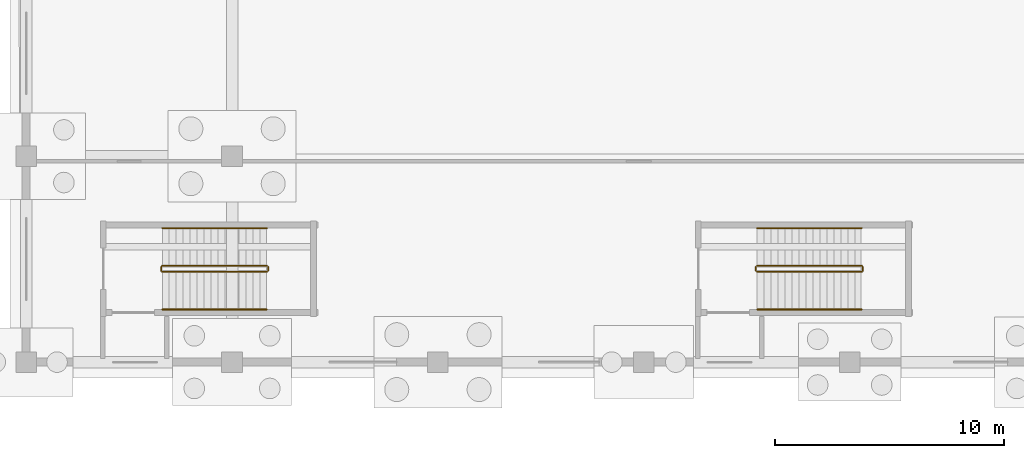
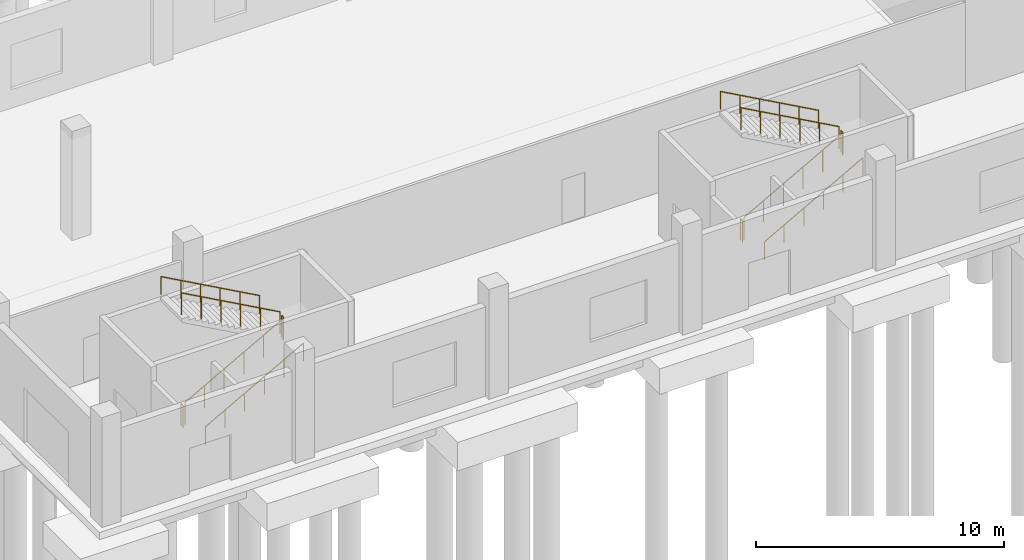
# One storey, part 57 of 103: 12 railings.
"""IFC4 building model written with IfcOpenShell, lengths in metres."""

from ifc_helpers import new_model, si_unit, direction, frame, origin, origin_2d, place, context, subcontext, project, spatial, circle, extrude, material, type_object, element, save


model = new_model("IFC4")

# Units and contexts
model_context = context("Model", 3, precision=1e-05, world=origin(), true_north=direction((0.0, 1.0)))
body_context = subcontext(model_context, "Body", "Model", "MODEL_VIEW")
ifc_project = project(units=[si_unit("LENGTHUNIT", "METRE"), si_unit("AREAUNIT", "SQUARE_METRE"), si_unit("VOLUMEUNIT", "CUBIC_METRE"), si_unit("PLANEANGLEUNIT", "RADIAN"), si_unit("MASSUNIT", "GRAM", prefix="KILO")], contexts=[model_context])

# Site, building, storey
site_placement = place(None, origin())
site = spatial("IfcSite", under=ifc_project, at=site_placement, CompositionType="ELEMENT")
building_placement = place(site_placement, origin())
building = spatial("IfcBuilding", under=site, at=building_placement, Name="Zevraka Park Crest Stadium", CompositionType="ELEMENT")
storey_placement = place(building_placement, origin())
storey = spatial("IfcBuildingStorey", under=building, at=storey_placement, Name="L00", CompositionType="ELEMENT", Elevation=0.0)

# Railings
ifc_material_1 = material(Name="Powder-coated tubular steel stairwell guard", Category="steel")
railing_type_1 = type_object("IfcRailingType", Name="GR03", PredefinedType="GUARDRAIL", material=ifc_material_1)
railing_1_placement = place(storey_placement, frame((14.949951171875, 3.949951171875, 0.168701171875)))
element("IfcRailing", 1, at=railing_1_placement, inside=storey, type_object=railing_type_1, Name="L00 ST51 stair guard 1", PredefinedType="GUARDRAIL", context=body_context, shape_type="SweptSolid", body=[
    extrude(circle(Radius=0.02392578125, at=origin_2d()), frame((0.0, 0.0, 1.076171875), z_axis=(0.874999533545, 0.0, 0.484123761342), x_axis=(0.0, 1.0, 0.0)), (0.0, 0.0, 1.0), 5.228515625),
    extrude(circle(Radius=0.02099609375, at=origin_2d()), origin(), (0.0, 0.0, 1.0), 1.052001953125),
    extrude(circle(Radius=0.02099609375, at=origin_2d()), frame((0.9150390625, 0.0, 0.50634765625)), (0.0, 0.0, 1.0), 1.052001953125),
    extrude(circle(Radius=0.02099609375, at=origin_2d()), frame((1.830078125, 0.0, 1.012451171875)), (0.0, 0.0, 1.0), 1.052001953125),
    extrude(circle(Radius=0.02099609375, at=origin_2d()), frame((2.744873046875, 0.0, 1.518798828125)), (0.0, 0.0, 1.0), 1.052001953125),
    extrude(circle(Radius=0.02099609375, at=origin_2d()), frame((3.659912109375, 0.0, 2.02490234375)), (0.0, 0.0, 1.0), 1.052001953125),
    extrude(circle(Radius=0.02099609375, at=origin_2d()), frame((4.574951171875, 0.0, 2.53125)), (0.0, 0.0, 1.0), 1.052001953125),
])
railing_2_placement = place(storey_placement, frame((19.574951171875, 4.0, 2.699951171875)))
element("IfcRailing", 2, at=railing_2_placement, inside=storey, type_object=railing_type_1, Name="L00 ST51 stair guard 2", PredefinedType="GUARDRAIL", context=body_context, shape_type="SweptSolid", body=[
    extrude(circle(Radius=0.02392578125, at=origin_2d()), frame((0.0, 0.0, 1.076171875), z_axis=(0.0, 1.0, 0.0), x_axis=(-1.0, 0.0, 0.0)), (0.0, 0.0, 1.0), 0.159912109375),
    extrude(circle(Radius=0.02099609375, at=origin_2d()), origin(), (0.0, 0.0, 1.0), 1.052001953125),
    extrude(circle(Radius=0.02099609375, at=origin_2d()), frame((0.0, 0.159912109375, 0.0)), (0.0, 0.0, 1.0), 1.052001953125),
])
railing_3_placement = place(storey_placement, frame((19.52490234375, 4.2099609375, 2.86865234375)))
element("IfcRailing", 3, at=railing_3_placement, inside=storey, type_object=railing_type_1, Name="L00 ST51 stair guard 3", PredefinedType="GUARDRAIL", context=body_context, shape_type="SweptSolid", body=[
    extrude(circle(Radius=0.02392578125, at=origin_2d()), frame((0.0, 0.0, 1.076171875), z_axis=(-0.874999533545, 0.0, 0.484123761342), x_axis=(0.0, -1.0, 0.0)), (0.0, 0.0, 1.0), 5.228515625),
    extrude(circle(Radius=0.02099609375, at=origin_2d()), origin(), (0.0, 0.0, 1.0), 1.052001953125),
    extrude(circle(Radius=0.02099609375, at=origin_2d()), frame((-0.9150390625, 0.0, 0.50634765625)), (0.0, 0.0, 1.0), 1.052001953125),
    extrude(circle(Radius=0.02099609375, at=origin_2d()), frame((-1.830078125, 0.0, 1.012451171875)), (0.0, 0.0, 1.0), 1.052001953125),
    extrude(circle(Radius=0.02099609375, at=origin_2d()), frame((-2.744873046875, 0.0, 1.518798828125)), (0.0, 0.0, 1.0), 1.052001953125),
    extrude(circle(Radius=0.02099609375, at=origin_2d()), frame((-3.659912109375, 0.0, 2.02490234375)), (0.0, 0.0, 1.0), 1.052001953125),
    extrude(circle(Radius=0.02099609375, at=origin_2d()), frame((-4.574951171875, 0.0, 2.53125)), (0.0, 0.0, 1.0), 1.052001953125),
])
railing_4_placement = place(storey_placement, frame((14.89990234375, 4.0, 0.0)))
element("IfcRailing", 4, at=railing_4_placement, inside=storey, type_object=railing_type_1, Name="L00 ST51 stair guard 4", PredefinedType="GUARDRAIL", context=body_context, shape_type="SweptSolid", body=[
    extrude(circle(Radius=0.02392578125, at=origin_2d()), frame((0.0, 0.0, 1.076171875), z_axis=(0.0, 1.0, 0.0), x_axis=(-1.0, 0.0, 0.0)), (0.0, 0.0, 1.0), 0.159912109375),
    extrude(circle(Radius=0.02099609375, at=origin_2d()), origin(), (0.0, 0.0, 1.0), 1.052001953125),
    extrude(circle(Radius=0.02099609375, at=origin_2d()), frame((0.0, 0.159912109375, 0.0)), (0.0, 0.0, 1.0), 1.052001953125),
])
railing_5_placement = place(storey_placement, frame((40.949951171875, 3.949951171875, 0.168701171875)))
element("IfcRailing", 5, at=railing_5_placement, inside=storey, type_object=railing_type_1, Name="L00 ST52 stair guard 1", PredefinedType="GUARDRAIL", context=body_context, shape_type="SweptSolid", body=[
    extrude(circle(Radius=0.02392578125, at=origin_2d()), frame((0.0, 0.0, 1.076171875), z_axis=(0.874999533545, 0.0, 0.484123761342), x_axis=(0.0, 1.0, 0.0)), (0.0, 0.0, 1.0), 5.228515625),
    extrude(circle(Radius=0.02099609375, at=origin_2d()), origin(), (0.0, 0.0, 1.0), 1.052001953125),
    extrude(circle(Radius=0.02099609375, at=origin_2d()), frame((0.9150390625, 0.0, 0.50634765625)), (0.0, 0.0, 1.0), 1.052001953125),
    extrude(circle(Radius=0.02099609375, at=origin_2d()), frame((1.830078125, 0.0, 1.012451171875)), (0.0, 0.0, 1.0), 1.052001953125),
    extrude(circle(Radius=0.02099609375, at=origin_2d()), frame((2.744873046875, 0.0, 1.518798828125)), (0.0, 0.0, 1.0), 1.052001953125),
    extrude(circle(Radius=0.02099609375, at=origin_2d()), frame((3.659912109375, 0.0, 2.02490234375)), (0.0, 0.0, 1.0), 1.052001953125),
    extrude(circle(Radius=0.02099609375, at=origin_2d()), frame((4.574951171875, 0.0, 2.53125)), (0.0, 0.0, 1.0), 1.052001953125),
])
railing_6_placement = place(storey_placement, frame((45.574951171875, 4.0, 2.699951171875)))
element("IfcRailing", 6, at=railing_6_placement, inside=storey, type_object=railing_type_1, Name="L00 ST52 stair guard 2", PredefinedType="GUARDRAIL", context=body_context, shape_type="SweptSolid", body=[
    extrude(circle(Radius=0.02392578125, at=origin_2d()), frame((0.0, 0.0, 1.076171875), z_axis=(0.0, 1.0, 0.0), x_axis=(-1.0, 0.0, 0.0)), (0.0, 0.0, 1.0), 0.159912109375),
    extrude(circle(Radius=0.02099609375, at=origin_2d()), origin(), (0.0, 0.0, 1.0), 1.052001953125),
    extrude(circle(Radius=0.02099609375, at=origin_2d()), frame((0.0, 0.159912109375, 0.0)), (0.0, 0.0, 1.0), 1.052001953125),
])
railing_7_placement = place(storey_placement, frame((45.52490234375, 4.2099609375, 2.86865234375)))
element("IfcRailing", 7, at=railing_7_placement, inside=storey, type_object=railing_type_1, Name="L00 ST52 stair guard 3", PredefinedType="GUARDRAIL", context=body_context, shape_type="SweptSolid", body=[
    extrude(circle(Radius=0.02392578125, at=origin_2d()), frame((0.0, 0.0, 1.076171875), z_axis=(-0.874999533545, 0.0, 0.484123761342), x_axis=(0.0, -1.0, 0.0)), (0.0, 0.0, 1.0), 5.228515625),
    extrude(circle(Radius=0.02099609375, at=origin_2d()), origin(), (0.0, 0.0, 1.0), 1.052001953125),
    extrude(circle(Radius=0.02099609375, at=origin_2d()), frame((-0.9150390625, 0.0, 0.50634765625)), (0.0, 0.0, 1.0), 1.052001953125),
    extrude(circle(Radius=0.02099609375, at=origin_2d()), frame((-1.830078125, 0.0, 1.012451171875)), (0.0, 0.0, 1.0), 1.052001953125),
    extrude(circle(Radius=0.02099609375, at=origin_2d()), frame((-2.744873046875, 0.0, 1.518798828125)), (0.0, 0.0, 1.0), 1.052001953125),
    extrude(circle(Radius=0.02099609375, at=origin_2d()), frame((-3.659912109375, 0.0, 2.02490234375)), (0.0, 0.0, 1.0), 1.052001953125),
    extrude(circle(Radius=0.02099609375, at=origin_2d()), frame((-4.574951171875, 0.0, 2.53125)), (0.0, 0.0, 1.0), 1.052001953125),
])
railing_8_placement = place(storey_placement, frame((40.89990234375, 4.0, 0.0)))
element("IfcRailing", 8, at=railing_8_placement, inside=storey, type_object=railing_type_1, Name="L00 ST52 stair guard 4", PredefinedType="GUARDRAIL", context=body_context, shape_type="SweptSolid", body=[
    extrude(circle(Radius=0.02392578125, at=origin_2d()), frame((0.0, 0.0, 1.076171875), z_axis=(0.0, 1.0, 0.0), x_axis=(-1.0, 0.0, 0.0)), (0.0, 0.0, 1.0), 0.159912109375),
    extrude(circle(Radius=0.02099609375, at=origin_2d()), origin(), (0.0, 0.0, 1.0), 1.052001953125),
    extrude(circle(Radius=0.02099609375, at=origin_2d()), frame((0.0, 0.159912109375, 0.0)), (0.0, 0.0, 1.0), 1.052001953125),
])
ifc_material_2 = material(Name="Brushed stainless steel continuous handrail", Category="steel")
railing_type_2 = type_object("IfcRailingType", Name="HR01", PredefinedType="HANDRAIL", material=ifc_material_2)
railing_9_placement = place(storey_placement, frame((14.949951171875, 2.300048828125, 0.168701171875)))
element("IfcRailing", 9, at=railing_9_placement, inside=storey, type_object=railing_type_2, Name="L00 ST51 stair handrail 1", PredefinedType="HANDRAIL", context=body_context, shape_type="SweptSolid", body=[
    extrude(circle(Radius=0.02392578125, at=origin_2d()), frame((0.0, 0.0, 0.8759765625), z_axis=(0.874999533545, 0.0, 0.484123761342), x_axis=(0.0, 1.0, 0.0)), (0.0, 0.0, 1.0), 5.228515625),
    extrude(circle(Radius=0.02099609375, at=origin_2d()), origin(), (0.0, 0.0, 1.0), 0.851806640625),
    extrude(circle(Radius=0.02099609375, at=origin_2d()), frame((0.9150390625, 0.0, 0.50634765625)), (0.0, 0.0, 1.0), 0.851806640625),
    extrude(circle(Radius=0.02099609375, at=origin_2d()), frame((1.830078125, 0.0, 1.012451171875)), (0.0, 0.0, 1.0), 0.851806640625),
    extrude(circle(Radius=0.02099609375, at=origin_2d()), frame((2.744873046875, 0.0, 1.518798828125)), (0.0, 0.0, 1.0), 0.851806640625),
    extrude(circle(Radius=0.02099609375, at=origin_2d()), frame((3.659912109375, 0.0, 2.02490234375)), (0.0, 0.0, 1.0), 0.851806640625),
    extrude(circle(Radius=0.02099609375, at=origin_2d()), frame((4.574951171875, 0.0, 2.53125)), (0.0, 0.0, 1.0), 0.851806640625),
])
railing_10_placement = place(storey_placement, frame((19.52490234375, 5.860107421875, 2.86865234375)))
element("IfcRailing", 10, at=railing_10_placement, inside=storey, type_object=railing_type_2, Name="L00 ST51 stair handrail 2", PredefinedType="HANDRAIL", context=body_context, shape_type="SweptSolid", body=[
    extrude(circle(Radius=0.02392578125, at=origin_2d()), frame((0.0, 0.0, 0.8759765625), z_axis=(-0.874999533545, 0.0, 0.484123761342), x_axis=(0.0, -1.0, 0.0)), (0.0, 0.0, 1.0), 5.228515625),
    extrude(circle(Radius=0.02099609375, at=origin_2d()), origin(), (0.0, 0.0, 1.0), 0.851806640625),
    extrude(circle(Radius=0.02099609375, at=origin_2d()), frame((-0.9150390625, 0.0, 0.50634765625)), (0.0, 0.0, 1.0), 0.851806640625),
    extrude(circle(Radius=0.02099609375, at=origin_2d()), frame((-1.830078125, 0.0, 1.012451171875)), (0.0, 0.0, 1.0), 0.851806640625),
    extrude(circle(Radius=0.02099609375, at=origin_2d()), frame((-2.744873046875, 0.0, 1.518798828125)), (0.0, 0.0, 1.0), 0.851806640625),
    extrude(circle(Radius=0.02099609375, at=origin_2d()), frame((-3.659912109375, 0.0, 2.02490234375)), (0.0, 0.0, 1.0), 0.851806640625),
    extrude(circle(Radius=0.02099609375, at=origin_2d()), frame((-4.574951171875, 0.0, 2.53125)), (0.0, 0.0, 1.0), 0.851806640625),
])
railing_11_placement = place(storey_placement, frame((40.949951171875, 2.300048828125, 0.168701171875)))
element("IfcRailing", 11, at=railing_11_placement, inside=storey, type_object=railing_type_2, Name="L00 ST52 stair handrail 1", PredefinedType="HANDRAIL", context=body_context, shape_type="SweptSolid", body=[
    extrude(circle(Radius=0.02392578125, at=origin_2d()), frame((0.0, 0.0, 0.8759765625), z_axis=(0.874999533545, 0.0, 0.484123761342), x_axis=(0.0, 1.0, 0.0)), (0.0, 0.0, 1.0), 5.228515625),
    extrude(circle(Radius=0.02099609375, at=origin_2d()), origin(), (0.0, 0.0, 1.0), 0.851806640625),
    extrude(circle(Radius=0.02099609375, at=origin_2d()), frame((0.9150390625, 0.0, 0.50634765625)), (0.0, 0.0, 1.0), 0.851806640625),
    extrude(circle(Radius=0.02099609375, at=origin_2d()), frame((1.830078125, 0.0, 1.012451171875)), (0.0, 0.0, 1.0), 0.851806640625),
    extrude(circle(Radius=0.02099609375, at=origin_2d()), frame((2.744873046875, 0.0, 1.518798828125)), (0.0, 0.0, 1.0), 0.851806640625),
    extrude(circle(Radius=0.02099609375, at=origin_2d()), frame((3.659912109375, 0.0, 2.02490234375)), (0.0, 0.0, 1.0), 0.851806640625),
    extrude(circle(Radius=0.02099609375, at=origin_2d()), frame((4.574951171875, 0.0, 2.53125)), (0.0, 0.0, 1.0), 0.851806640625),
])
railing_12_placement = place(storey_placement, frame((45.52490234375, 5.860107421875, 2.86865234375)))
element("IfcRailing", 12, at=railing_12_placement, inside=storey, type_object=railing_type_2, Name="L00 ST52 stair handrail 2", PredefinedType="HANDRAIL", context=body_context, shape_type="SweptSolid", body=[
    extrude(circle(Radius=0.02392578125, at=origin_2d()), frame((0.0, 0.0, 0.8759765625), z_axis=(-0.874999533545, 0.0, 0.484123761342), x_axis=(0.0, -1.0, 0.0)), (0.0, 0.0, 1.0), 5.228515625),
    extrude(circle(Radius=0.02099609375, at=origin_2d()), origin(), (0.0, 0.0, 1.0), 0.851806640625),
    extrude(circle(Radius=0.02099609375, at=origin_2d()), frame((-0.9150390625, 0.0, 0.50634765625)), (0.0, 0.0, 1.0), 0.851806640625),
    extrude(circle(Radius=0.02099609375, at=origin_2d()), frame((-1.830078125, 0.0, 1.012451171875)), (0.0, 0.0, 1.0), 0.851806640625),
    extrude(circle(Radius=0.02099609375, at=origin_2d()), frame((-2.744873046875, 0.0, 1.518798828125)), (0.0, 0.0, 1.0), 0.851806640625),
    extrude(circle(Radius=0.02099609375, at=origin_2d()), frame((-3.659912109375, 0.0, 2.02490234375)), (0.0, 0.0, 1.0), 0.851806640625),
    extrude(circle(Radius=0.02099609375, at=origin_2d()), frame((-4.574951171875, 0.0, 2.53125)), (0.0, 0.0, 1.0), 0.851806640625),
])

save(model, "model.ifc")
